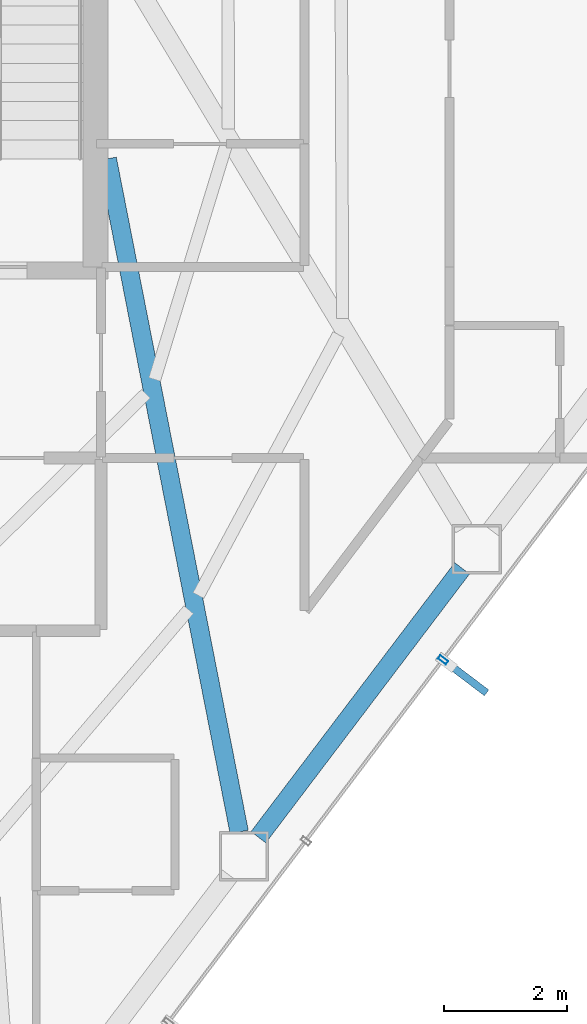
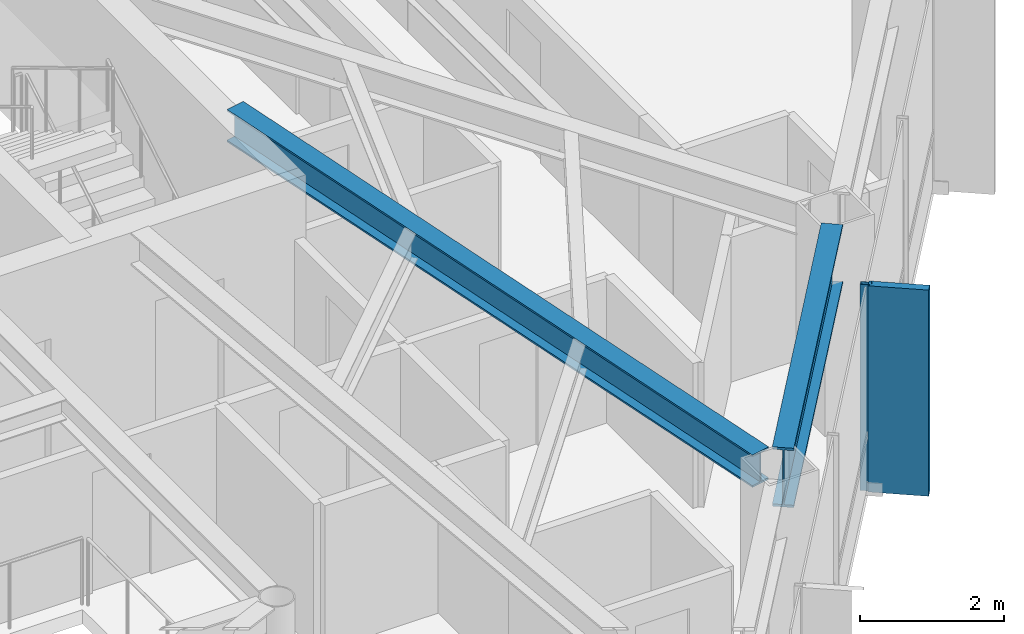
# One storey, part 17 of 28: 2 beams, 2 members, 1 element without a shape of its own.
"""IFC4 building model written with IfcOpenShell, lengths in metres."""

import ifcopenshell
import ifcopenshell.guid

model = None  # the IFC model being written
_history = None  # IfcOwnerHistory: only IFC2X3 demands one
_inside = {}  # id of a spatial element -> (the spatial element, [elements in it])
_under = {}  # id of a project, library or spatial element -> (it, [spatial elements below it])
_declared = {}  # id of a project -> (the project, [libraries it declares])
_typed = {}  # id of a type object -> (the type object, [elements of that type])
_made_of = {}  # id of a material, layer set ... -> (it, [elements and type objects made of it])


def new_model(schema):
    """Start an empty IFC model of exactly this schema.

    Asked for "IFC4X3", IfcOpenShell would pick the latest addendum, in which some entities
    have other attributes; the version numbers below select the first issue.
    IFC2X3 requires an IfcOwnerHistory on every rooted entity: one is made here for all.
    """
    global model, _history
    if schema == "IFC4X3":
        model = ifcopenshell.file(schema_version=(4, 3, 0, 0))
    else:
        model = ifcopenshell.file(schema=schema)
    _inside.clear()
    _under.clear()
    _declared.clear()
    _typed.clear()
    _made_of.clear()
    _history = None
    if model.schema == "IFC2X3":
        org = make("IfcOrganization", Name="unknown")
        user = make(
            "IfcPersonAndOrganization",
            ThePerson=make("IfcPerson", FamilyName="unknown"),
            TheOrganization=org,
        )
        app = make(
            "IfcApplication",
            ApplicationDeveloper=org,
            Version="unknown",
            ApplicationFullName="unknown",
            ApplicationIdentifier="unknown",
        )
        _history = make(
            "IfcOwnerHistory",
            OwningUser=user,
            OwningApplication=app,
            ChangeAction="ADDED",
            CreationDate=0,
        )
    return model


def make(cls, **values):
    """One entity of the class cls with the attributes given. An attribute that is None is left unset."""
    return model.create_entity(
        cls, **{name: value for name, value in values.items() if value is not None}
    )


def rooted(cls, **values):
    """An entity with a GlobalId (a new one), such as an element, a storey or a relation."""
    return make(cls, GlobalId=ifcopenshell.guid.new(), OwnerHistory=_history, **values)


def si_unit(unit_type, name, prefix=None):
    """IfcSIUnit, for example si_unit("LENGTHUNIT", "METRE", prefix="MILLI")."""
    return make("IfcSIUnit", UnitType=unit_type, Prefix=prefix, Name=name)


def assignment(units):
    """IfcUnitAssignment: the units of a project."""
    return None if units is None else make("IfcUnitAssignment", Units=units)


def point(xyz):
    """IfcCartesianPoint."""
    return None if xyz is None else make("IfcCartesianPoint", Coordinates=xyz)


def direction(xyz):
    """IfcDirection."""
    return None if xyz is None else make("IfcDirection", DirectionRatios=xyz)


def frame(location, z_axis=None, x_axis=None):
    """IfcAxis2Placement3D, a coordinate frame: its origin and axes. An axis left out is left unset."""
    return make(
        "IfcAxis2Placement3D",
        Location=point(location),
        Axis=direction(z_axis),
        RefDirection=direction(x_axis),
    )


def frame_2d(location, x_axis=None):
    """IfcAxis2Placement2D, a coordinate frame in the plane: its origin and x axis."""
    return make(
        "IfcAxis2Placement2D", Location=point(location), RefDirection=direction(x_axis)
    )


def origin():
    """The frame at (0, 0, 0) with its axes left unset."""
    return frame((0.0, 0.0, 0.0))


def origin_2d():
    """The frame at (0, 0) in the plane with its x axis left unset."""
    return frame_2d((0.0, 0.0))


def place(relative_to, where):
    """IfcLocalPlacement: puts the frame where relative to a parent placement (None: the world)."""
    return make(
        "IfcLocalPlacement", PlacementRelTo=relative_to, RelativePlacement=where
    )


def context(
    kind, dimensions, precision=None, world=None, true_north=None, identifier=None
):
    """IfcGeometricRepresentationContext, for example the 3D "Model" context."""
    return make(
        "IfcGeometricRepresentationContext",
        ContextIdentifier=identifier,
        ContextType=kind,
        CoordinateSpaceDimension=dimensions,
        Precision=precision,
        WorldCoordinateSystem=world,
        TrueNorth=true_north,
    )


def subcontext(parent, identifier, kind, view, scale=None):
    """IfcGeometricRepresentationSubContext, for example "Body" below "Model"."""
    return make(
        "IfcGeometricRepresentationSubContext",
        ContextIdentifier=identifier,
        ContextType=kind,
        ParentContext=parent,
        TargetScale=scale,
        TargetView=view,
    )


def project(units=None, contexts=None):
    """IfcProject with its units and contexts."""
    return rooted(
        "IfcProject",
        Name="project",
        RepresentationContexts=contexts,
        UnitsInContext=assignment(units),
    )


def spatial(cls, under=None, at=None, **own):
    """A site, building, storey or space (cls), placed at a placement, below another one or the project."""
    s = rooted(cls, ObjectPlacement=at, **own)
    if under is not None:
        _under.setdefault(under.id(), (under, []))[1].append(s)
    return s


def profile(cls, at=None, kind="AREA", **sizes):
    """A parametric profile (cls). Its sizes go by their IFC names, for example OverallWidth=200.0."""
    return make(cls, ProfileType=kind, Position=at, **sizes)


def rectangle(**sizes):
    """IfcRectangleProfileDef."""
    return profile("IfcRectangleProfileDef", **sizes)


def hollow_rectangle(**sizes):
    """IfcRectangleHollowProfileDef."""
    return profile("IfcRectangleHollowProfileDef", **sizes)


def i_section(**sizes):
    """IfcIShapeProfileDef."""
    return profile("IfcIShapeProfileDef", **sizes)


def extrude(swept, where, along, depth):
    """IfcExtrudedAreaSolid: the profile swept, set in the frame where, extruded along a direction by depth."""
    return make(
        "IfcExtrudedAreaSolid",
        SweptArea=swept,
        Position=where,
        ExtrudedDirection=direction(along),
        Depth=depth,
    )


def shape(context_of_items, identifier, shape_type, items):
    """IfcShapeRepresentation: the items that make up one representation, for example the "Body"."""
    return make(
        "IfcShapeRepresentation",
        ContextOfItems=context_of_items,
        RepresentationIdentifier=identifier,
        RepresentationType=shape_type,
        Items=items,
    )


def material(Name=None, Category=None):
    """IfcMaterial."""
    return make("IfcMaterial", Name=Name, Category=Category)


def layer(
    of_material, thickness, ventilated=None, Name=None, Category=None, Priority=None
):
    """IfcMaterialLayer: one layer of a wall or slab, of a material (None: an air gap)."""
    return make(
        "IfcMaterialLayer",
        Material=of_material,
        LayerThickness=thickness,
        IsVentilated=ventilated,
        Name=Name,
        Category=Category,
        Priority=Priority,
    )


def layer_set(layers, Name=None):
    """IfcMaterialLayerSet."""
    return make("IfcMaterialLayerSet", MaterialLayers=layers, LayerSetName=Name)


def material_profile(
    of_material, cross_section, Name=None, Category=None, Priority=None
):
    """IfcMaterialProfile: a cross section and its material."""
    return make(
        "IfcMaterialProfile",
        Name=Name,
        Material=of_material,
        Profile=cross_section,
        Priority=Priority,
        Category=Category,
    )


def profile_set(profiles, Name=None, composite=None):
    """IfcMaterialProfileSet."""
    return make(
        "IfcMaterialProfileSet",
        Name=Name,
        MaterialProfiles=profiles,
        CompositeProfile=composite,
    )


def made_of(thing, what):
    """Note that an element or type object is made of a material, layer set ...; save() writes the relation."""
    if what is not None:
        _made_of.setdefault(what.id(), (what, []))[1].append(thing)
    return thing


def type_object(cls, material=None, **own):
    """A type object (cls), such as IfcWallType, which elements share."""
    return made_of(rooted(cls, **own), material)


def element(
    cls,
    number,
    at=None,
    inside=None,
    cuts=None,
    type_object=None,
    material=None,
    context=None,
    identifier="Body",
    shape_type=None,
    held_by="IfcProductDefinitionShape",
    body=None,
    shapes=None,
    **own,
):
    """One element of the class cls, such as IfcWall. Its Tag is "e" and its number.

    at: its placement. inside: the storey or other place that contains it. cuts: it is an
    opening in that element (IfcRelVoidsElement). A single representation is given by context,
    identifier, shape_type and body (its items); several are given by shapes. held_by: the class
    of the entity that holds the representations. save() writes the other relations.
    """
    e = rooted(cls, Tag="e%d" % number, ObjectPlacement=at, **own)
    if body is not None:
        shapes = [shape(context, identifier, shape_type, body)]
    if shapes is not None:
        e.Representation = make(held_by, Representations=shapes)
    if inside is not None:
        _inside.setdefault(inside.id(), (inside, []))[1].append(e)
    if cuts is not None:
        rooted(
            "IfcRelVoidsElement", RelatingBuildingElement=cuts, RelatedOpeningElement=e
        )
    if type_object is not None:
        _typed.setdefault(type_object.id(), (type_object, []))[1].append(e)
    return made_of(e, material)


def aggregate(whole, parts):
    """IfcRelAggregates: a whole, such as a stair, and the parts it consists of."""
    return rooted("IfcRelAggregates", RelatingObject=whole, RelatedObjects=parts)


def save(model, path):
    """Write the relations noted so far, then the file.

    IfcRelAggregates (storeys below a building ...), IfcRelContainedInSpatialStructure (elements
    in a storey), IfcRelDefinesByType, IfcRelAssociatesMaterial and IfcRelDeclares: one each for
    every whole, place, type object, material and project.
    """
    for whole, parts in _under.values():
        aggregate(whole, parts)
    for where, things in _inside.values():
        rooted(
            "IfcRelContainedInSpatialStructure",
            RelatedElements=things,
            RelatingStructure=where,
        )
    for kind, things in _typed.values():
        rooted("IfcRelDefinesByType", RelatedObjects=things, RelatingType=kind)
    for what, things in _made_of.values():
        rooted("IfcRelAssociatesMaterial", RelatedObjects=things, RelatingMaterial=what)
    for by, libraries in _declared.values():
        rooted("IfcRelDeclares", RelatingContext=by, RelatedDefinitions=libraries)
    model.write(path)


model = new_model("IFC4")

# Units and contexts
model_context = context("Model", 3, precision=1e-05, world=origin(), true_north=direction((0.0, 1.0)))
body_context = subcontext(model_context, "Body", "Model", "MODEL_VIEW")
ifc_project = project(units=[si_unit("LENGTHUNIT", "METRE"), si_unit("AREAUNIT", "SQUARE_METRE"), si_unit("VOLUMEUNIT", "CUBIC_METRE"), si_unit("PLANEANGLEUNIT", "RADIAN"), si_unit("MASSUNIT", "GRAM", prefix="KILO")], contexts=[model_context])

# Site, building, storey
site_placement = place(None, origin())
site = spatial("IfcSite", under=ifc_project, at=site_placement, CompositionType="ELEMENT")
building_placement = place(site_placement, origin())
building = spatial("IfcBuilding", under=site, at=building_placement, Name="Zarrinselat Tower", CompositionType="ELEMENT")
storey_placement = place(building_placement, frame((0.0, 0.0, 127.159912109375)))
storey = spatial("IfcBuildingStorey", under=building, at=storey_placement, Name="L30", CompositionType="ELEMENT", Elevation=127.159912109375)

# Beams
ifc_material_1 = material(Name="Steel S355J2", Category="steel")
ifc_material_profile_1 = material_profile(ifc_material_1, i_section(OverallWidth=0.300048828125, OverallDepth=0.550048828125, WebThickness=0.014892578125, FlangeThickness=0.029052734375, at=origin_2d()), Name="HEB 550")
ifc_profile_set_1 = profile_set([ifc_material_profile_1], Name="Steel S355J2")
beam_type_1 = type_object("IfcBeamType", Name="BM-HEB550", PredefinedType="BEAM", material=ifc_profile_set_1)
beam_1_placement = place(storey_placement, frame((48.449951171875, 35.0, 3.22509765625), z_axis=(0.192394559614, -0.981317651645, 0.0), x_axis=(0.981317651645, 0.192394559614, 0.0)))
element("IfcBeam", 1, at=beam_1_placement, inside=storey, type_object=beam_type_1, Name="L30 Radial Primary Girder RG12", PredefinedType="BEAM", context=body_context, shape_type="SweptSolid", body=[
    extrude(i_section(OverallWidth=0.300048828125, OverallDepth=0.550048828125, WebThickness=0.014892578125, FlangeThickness=0.029052734375, at=origin_2d()), origin(), (0.0, 0.0, 1.0), 11.11865234375),
])
ifc_material_2 = material(Name="Steel S460M", Category="steel")
ifc_material_profile_2 = material_profile(ifc_material_2, i_section(OverallWidth=0.302001953125, OverallDepth=1.008056640625, WebThickness=0.02099609375, FlangeThickness=0.0400390625, at=origin_2d()), Name="HEM 1000")
ifc_profile_set_2 = profile_set([ifc_material_profile_2], Name="Steel S460M")
beam_type_2 = type_object("IfcBeamType", Name="BM-HEM1000", PredefinedType="BEAM", material=ifc_profile_set_2)
beam_2_placement = place(storey_placement, frame((50.900634765625, 24.00390625, 2.99609375), z_axis=(0.603885188212, 0.79707131391, 0.0), x_axis=(-0.79707131391, 0.603885188212, 0.0)))
element("IfcBeam", 2, at=beam_2_placement, inside=storey, type_object=beam_type_2, Name="L30 Perimeter Spandrel Girder SP12", PredefinedType="BEAM", context=body_context, shape_type="SweptSolid", body=[
    extrude(i_section(OverallWidth=0.302001953125, OverallDepth=1.008056640625, WebThickness=0.02099609375, FlangeThickness=0.0400390625, at=origin_2d()), origin(), (0.0, 0.0, 1.0), 5.469482421875),
])

# Curtain wall, members
ifc_material_3 = material(Name="Extruded Aluminium Alloy EN AW-6063 T6", Category="aluminium")
ifc_layer = layer(ifc_material_3, 0.175048828125)
ifc_layer_set = layer_set([ifc_layer], Name="Extruded Aluminium Alloy EN AW-6063 T6")
curtain_wall_type = type_object("IfcCurtainWallType", Name="CWS-HTL", PredefinedType="NOTDEFINED", material=ifc_layer_set)
curtain_wall_placement = place(storey_placement, origin())
curtain_wall = element("IfcCurtainWall", 3, at=curtain_wall_placement, inside=storey, type_object=curtain_wall_type, Name="L30 Unitised Curtain Wall CW-L30-E05", PredefinedType="NOTDEFINED")
ifc_material_4 = material(Name="Extruded Aluminium Alloy EN AW-6063 T6", Category="aluminium")
ifc_material_profile_3 = material_profile(ifc_material_4, hollow_rectangle(XDim=0.070068359375, YDim=0.159912109375, WallThickness=0.00390625, at=origin_2d()), Name="RHS 160x70x4")
ifc_profile_set_3 = profile_set([ifc_material_profile_3], Name="Extruded Aluminium Alloy EN AW-6063 T6")
member_type_1 = type_object("IfcMemberType", Name="MEM-CW-MUL2", PredefinedType="MULLION", material=ifc_profile_set_3)
member_1_placement = place(storey_placement, frame((53.894287109375, 26.879150390625, 0.0), z_axis=(0.0, 0.0, 1.0), x_axis=(0.603858135777, 0.797091808926, 0.0)))
member_1 = element("IfcMember", 4, at=member_1_placement, type_object=member_type_1, Name="CW-L30-E05 Mullion 3", PredefinedType="MULLION", context=body_context, shape_type="SweptSolid", body=[
    extrude(hollow_rectangle(XDim=0.070068359375, YDim=0.159912109375, WallThickness=0.00390625, at=origin_2d()), origin(), (0.0, 0.0, 1.0), 3.5),
])
ifc_material_5 = material(Name="Honed Cream Travertine Stone", Category="masonry")
ifc_material_profile_4 = material_profile(ifc_material_5, rectangle(XDim=0.1201171875, YDim=0.85009765625, at=origin_2d()), Name="FIN 850x120")
ifc_profile_set_4 = profile_set([ifc_material_profile_4], Name="Honed Cream Travertine Stone")
member_type_2 = type_object("IfcMemberType", Name="MEM-STONE-FIN", PredefinedType="USERDEFINED", material=ifc_profile_set_4)
member_2_placement = place(storey_placement, frame((54.260986328125, 26.601318359375, 0.0), z_axis=(0.0, 0.0, 1.0), x_axis=(-0.603858135777, -0.797091808926, 0.0)))
member_2 = element("IfcMember", 5, at=member_2_placement, type_object=member_type_2, Name="L30 Stone Shading Fin CW-L30-E05-03", ObjectType="FIN", PredefinedType="USERDEFINED", context=body_context, shape_type="SweptSolid", body=[
    extrude(rectangle(XDim=0.1201171875, YDim=0.85009765625, at=origin_2d()), origin(), (0.0, 0.0, 1.0), 3.5),
])
aggregate(curtain_wall, [member_1, member_2])

save(model, "model.ifc")
